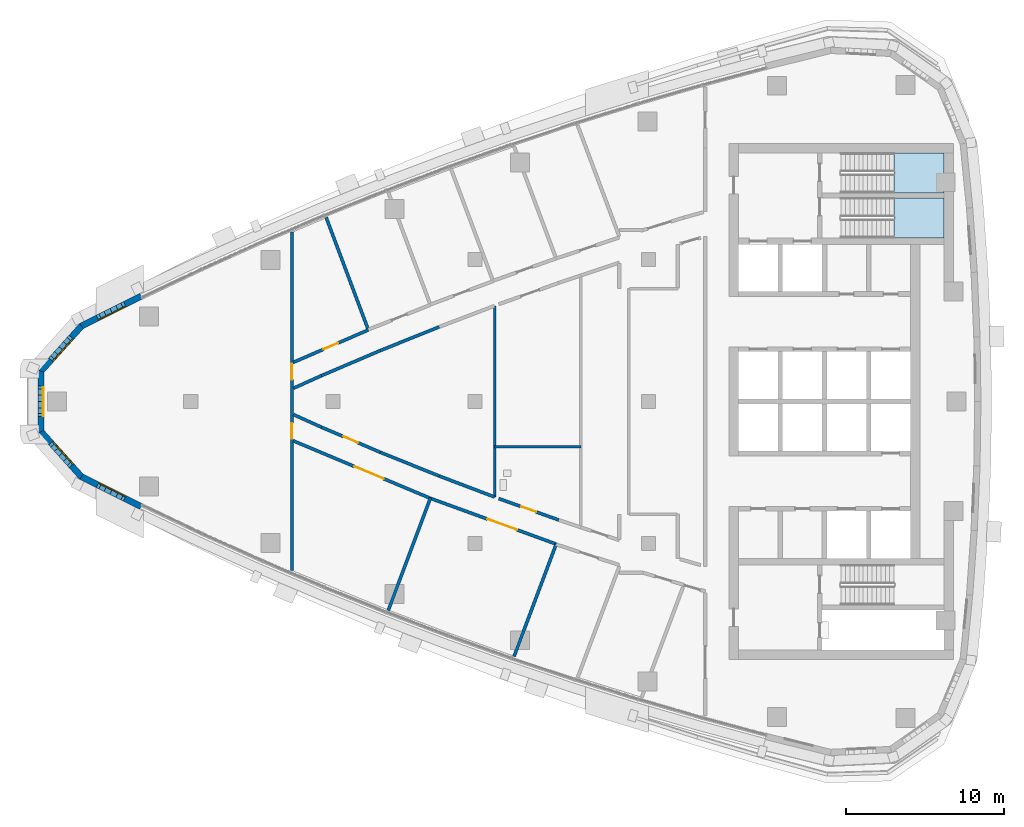
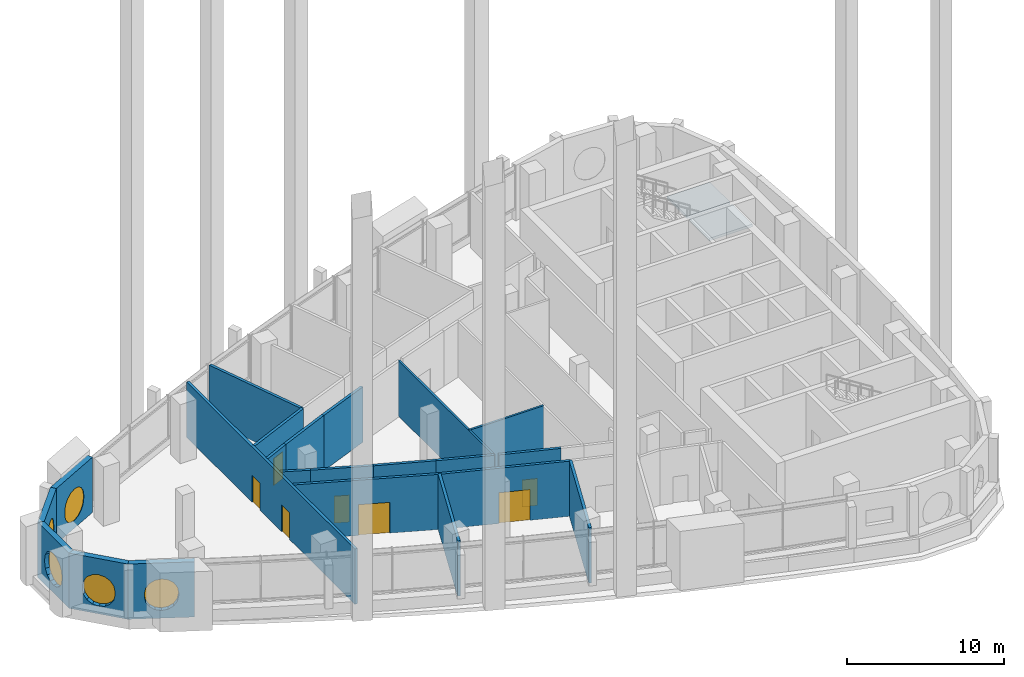
# One storey, part 6 of 15: 22 walls, 7 doors, 5 windows, 2 slabs, 12 openings, 2 elements without a shape of their own.
"""IFC4 building model written with IfcOpenShell, lengths in metres."""

from ifc_helpers import new_model, si_unit, direction, frame, frame_2d, origin, place, context, subcontext, project, spatial, polyline, rectangle, outline, extrude, material, layer, layer_set, type_object, element, fill, aggregate, save


model = new_model("IFC4")

# Units and contexts
model_context = context("Model", 3, precision=1e-05, world=origin(), true_north=direction((0.0, 1.0)))
body_context = subcontext(model_context, "Body", "Model", "MODEL_VIEW")
ifc_project = project(units=[si_unit("LENGTHUNIT", "METRE"), si_unit("AREAUNIT", "SQUARE_METRE"), si_unit("VOLUMEUNIT", "CUBIC_METRE"), si_unit("PLANEANGLEUNIT", "RADIAN"), si_unit("MASSUNIT", "GRAM", prefix="KILO")], contexts=[model_context])

# Site, building, storey
site_placement = place(None, origin())
site = spatial("IfcSite", under=ifc_project, at=site_placement, CompositionType="ELEMENT")
building_placement = place(site_placement, origin())
building = spatial("IfcBuilding", under=site, at=building_placement, Name="Ostrand Prow Hotel Tower", CompositionType="ELEMENT")
storey_placement = place(building_placement, frame((0.0, 0.0, 216.199951171875)))
storey = spatial("IfcBuildingStorey", under=building, at=storey_placement, Name="L54", CompositionType="ELEMENT", Elevation=216.199951171875)

# Stair, slab
ifc_material_1 = material(Name="Concrete C40/50", Category="concrete")
stair_type = type_object("IfcStairType", Name="Exit stair 1200 upper zone", PredefinedType="HALF_TURN_STAIR", material=ifc_material_1)
stair_1_placement = place(storey_placement, origin())
stair_1 = element("IfcStair", 1, at=stair_1_placement, inside=storey, type_object=stair_type, Name="L54 ST1C", PredefinedType="HALF_TURN_STAIR")
ifc_material_2 = material(Name="Concrete C40/50", Category="concrete")
ifc_layer_1 = layer(ifc_material_2, 0.199951171875)
ifc_layer_set_1 = layer_set([ifc_layer_1], Name="Concrete C40/50")
slab_type = type_object("IfcSlabType", Name="Stair landing 200 concrete", PredefinedType="LANDING", material=ifc_layer_set_1)
slab_1_placement = place(storey_placement, frame((0.0, 0.0, 2.10009765625)))
slab_1 = element("IfcSlab", 2, at=slab_1_placement, type_object=slab_type, Name="ST1C landing 1", PredefinedType="LANDING", context=body_context, shape_type="SweptSolid", body=[
    extrude(outline(polyline([(60.56005859375, 10.35009765625), (63.719970703125, 10.35009765625), (63.719970703125, 12.89990234375), (60.56005859375, 12.89990234375), (60.56005859375, 10.35009765625)])), origin(), (0.0, 0.0, 1.0), 0.199951171875),
])
aggregate(stair_1, [slab_1])

stair_2_placement = place(storey_placement, origin())
stair_2 = element("IfcStair", 3, at=stair_2_placement, inside=storey, type_object=stair_type, Name="L54 ST3C", PredefinedType="HALF_TURN_STAIR")
slab_2_placement = place(storey_placement, frame((0.0, 0.0, 2.10009765625)))
slab_2 = element("IfcSlab", 4, at=slab_2_placement, type_object=slab_type, Name="ST3C landing 1", PredefinedType="LANDING", context=body_context, shape_type="SweptSolid", body=[
    extrude(outline(polyline([(60.56005859375, 13.199951171875), (63.719970703125, 13.199951171875), (63.719970703125, 15.75), (60.56005859375, 15.75), (60.56005859375, 13.199951171875)])), origin(), (0.0, 0.0, 1.0), 0.199951171875),
])
aggregate(stair_2, [slab_2])

# Walls
ifc_material_3 = material(Name="Plasterboard partition")
ifc_layer_2 = layer(ifc_material_3, 0.14990234375)
ifc_layer_set_2 = layer_set([ifc_layer_2], Name="Plasterboard partition")
wall_type_1 = type_object("IfcWallType", Name="Partition 150 room partition", PredefinedType="PARTITIONING", material=ifc_layer_set_2)
wall_1_placement = place(storey_placement, frame((35.246826171875, -2.872314453125, 0.0), z_axis=(0.0, 0.0, 1.0), x_axis=(1.0, 0.0, 0.0)))
element("IfcWall", 5, at=wall_1_placement, inside=storey, type_object=wall_type_1, Name="ROOM PARTITION", PredefinedType="PARTITIONING", context=body_context, shape_type="SweptSolid", body=[
    extrude(rectangle(XDim=5.462646484375, YDim=0.14990234375, at=frame_2d((2.7314453125, 0.0))), origin(), (0.0, 0.0, 1.0), 4.300048828125),
])
wall_2_placement = place(storey_placement, frame((35.246826171875, -6.05615234375, 0.0), z_axis=(0.0, 0.0, 1.0), x_axis=(0.0, 1.0, 0.0)))
element("IfcWall", 6, at=wall_2_placement, inside=storey, type_object=wall_type_1, Name="ROOM PARTITION", PredefinedType="PARTITIONING", context=body_context, shape_type="SweptSolid", body=[
    extrude(rectangle(XDim=12.1123046875, YDim=0.14990234375, at=frame_2d((6.05615234375, 0.0))), origin(), (0.0, 0.0, 1.0), 4.300048828125),
])

# Wall, opening, door
ifc_material_4 = material(Name="Plasterboard partition")
ifc_layer_3 = layer(ifc_material_4, 0.199951171875)
ifc_layer_set_3 = layer_set([ifc_layer_3], Name="Plasterboard partition")
wall_type_2 = type_object("IfcWallType", Name="Partition 200 corridor wall", PredefinedType="PARTITIONING", material=ifc_layer_set_3)
wall_3_placement = place(storey_placement, frame((22.50048828125, 2.477783203125, 0.0), z_axis=(0.0, 0.0, 1.0), x_axis=(0.917924872832, 0.396754241106, 0.0)))
wall_3 = element("IfcWall", 7, at=wall_3_placement, inside=storey, type_object=wall_type_2, Name="CORRIDOR WALL", PredefinedType="PARTITIONING", context=body_context, shape_type="SweptSolid", body=[
    extrude(rectangle(XDim=5.172607421875, YDim=0.199951171875, at=frame_2d((2.58642578125, 0.0))), origin(), (0.0, 0.0, 1.0), 4.300048828125),
])
opening_1_placement = place(wall_3_placement, frame((2.086181640625, 0.0, 0.0)))
opening_1 = element("IfcOpeningElement", 8, at=opening_1_placement, cuts=wall_3, Name="Opening D1", PredefinedType="OPENING", context=body_context, shape_type="SweptSolid", body=[
    extrude(rectangle(XDim=1.0, YDim=2.10009765625, at=frame_2d((0.5, 1.050048828125))), frame((0.0, 0.10986328125, 0.0), z_axis=(0.0, -1.0, 0.0), x_axis=(1.0, 0.0, 0.0)), (0.0, 0.0, 1.0), 0.219970703125),
])
ifc_material_5 = material(Name="Timber door leaf", Category="wood")
door_type_1 = type_object("IfcDoorType", Name="Guest room door 1000", OperationType="SINGLE_SWING_LEFT", PredefinedType="DOOR", material=ifc_material_5)
door_1_placement = place(opening_1_placement, origin())
door_1 = element("IfcDoor", 9, at=door_1_placement, inside=storey, type_object=door_type_1, Name="DOOR", OperationType="SINGLE_SWING_LEFT", OverallHeight=2.10009765625, OverallWidth=1.0, PredefinedType="DOOR", context=body_context, shape_type="SweptSolid", body=[
    extrude(rectangle(XDim=1.0, YDim=2.10009765625, at=frame_2d((0.5, 1.050048828125))), frame((0.0, 0.02490234375, 0.0), z_axis=(0.0, -1.0, 0.0), x_axis=(1.0, 0.0, 0.0)), (0.0, 0.0, 1.0), 0.050048828125),
])
fill(opening_1, door_1)

wall_4_placement = place(storey_placement, frame((22.50048828125, -2.499755859375, 0.0), z_axis=(0.0, 0.0, 1.0), x_axis=(0.922225430975, -0.386652627643, 0.0)))
wall_4 = element("IfcWall", 10, at=wall_4_placement, inside=storey, type_object=wall_type_2, Name="CORRIDOR WALL", PredefinedType="PARTITIONING", context=body_context, shape_type="SweptSolid", body=[
    extrude(rectangle(XDim=9.406982421875, YDim=0.199951171875, at=frame_2d((4.70361328125, 0.0))), origin(), (0.0, 0.0, 1.0), 4.300048828125),
])
opening_2_placement = place(wall_4_placement, frame((4.203369140625, 0.0, 0.0)))
opening_2 = element("IfcOpeningElement", 11, at=opening_2_placement, cuts=wall_4, Name="Opening D20", PredefinedType="OPENING", context=body_context, shape_type="SweptSolid", body=[
    extrude(rectangle(XDim=2.0, YDim=2.39990234375, at=frame_2d((1.0, 1.199951171875))), frame((0.0, 0.10986328125, 0.0), z_axis=(0.0, -1.0, 0.0), x_axis=(1.0, 0.0, 0.0)), (0.0, 0.0, 1.0), 0.219970703125),
])
ifc_material_6 = material(Name="Timber door leaf", Category="wood")
door_type_2 = type_object("IfcDoorType", Name="Double door 2000", OperationType="DOUBLE_DOOR_SINGLE_SWING", PredefinedType="DOOR", material=ifc_material_6)
door_2_placement = place(opening_2_placement, origin())
door_2 = element("IfcDoor", 12, at=door_2_placement, inside=storey, type_object=door_type_2, Name="DOOR", OperationType="DOUBLE_DOOR_SINGLE_SWING", OverallHeight=2.39990234375, OverallWidth=2.0, PredefinedType="DOOR", context=body_context, shape_type="SweptSolid", body=[
    extrude(rectangle(XDim=2.0, YDim=2.39990234375, at=frame_2d((1.0, 1.199951171875))), frame((0.0, 0.02490234375, 0.0), z_axis=(0.0, -1.0, 0.0), x_axis=(1.0, 0.0, 0.0)), (0.0, 0.0, 1.0), 0.050048828125),
])
fill(opening_2, door_2)

wall_5_placement = place(storey_placement, frame((31.17578125, -6.136962890625, 0.0), z_axis=(0.0, 0.0, 1.0), x_axis=(0.939697645913, -0.342006336585, 0.0)))
wall_5 = element("IfcWall", 13, at=wall_5_placement, inside=storey, type_object=wall_type_2, Name="CORRIDOR WALL", PredefinedType="PARTITIONING", context=body_context, shape_type="SweptSolid", body=[
    extrude(rectangle(XDim=8.487548828125, YDim=0.199951171875, at=frame_2d((4.24365234375, 0.0))), origin(), (0.0, 0.0, 1.0), 4.300048828125),
])
opening_3_placement = place(wall_5_placement, frame((3.85009765625, 0.0, 0.0)))
opening_3 = element("IfcOpeningElement", 14, at=opening_3_placement, cuts=wall_5, Name="Opening D20", PredefinedType="OPENING", context=body_context, shape_type="SweptSolid", body=[
    extrude(rectangle(XDim=2.0, YDim=2.39990234375, at=frame_2d((1.0, 1.199951171875))), frame((0.0, 0.10986328125, 0.0), z_axis=(0.0, -1.0, 0.0), x_axis=(1.0, 0.0, 0.0)), (0.0, 0.0, 1.0), 0.219970703125),
])
door_3_placement = place(opening_3_placement, origin())
door_3 = element("IfcDoor", 15, at=door_3_placement, inside=storey, type_object=door_type_2, Name="DOOR", OperationType="DOUBLE_DOOR_SINGLE_SWING", OverallHeight=2.39990234375, OverallWidth=2.0, PredefinedType="DOOR", context=body_context, shape_type="SweptSolid", body=[
    extrude(rectangle(XDim=2.0, YDim=2.39990234375, at=frame_2d((1.0, 1.199951171875))), frame((0.0, 0.02490234375, 0.0), z_axis=(0.0, -1.0, 0.0), x_axis=(1.0, 0.0, 0.0)), (0.0, 0.0, 1.0), 0.050048828125),
])
fill(opening_3, door_3)

wall_6_placement = place(storey_placement, frame((27.99169921875, -3.21630859375, 0.0), z_axis=(0.0, 0.0, 1.0), x_axis=(-0.919906458601, 0.392137867878, 0.0)))
wall_6 = element("IfcWall", 16, at=wall_6_placement, inside=storey, type_object=wall_type_2, Name="CORRIDOR WALL", PredefinedType="PARTITIONING", context=body_context, shape_type="SweptSolid", body=[
    extrude(rectangle(XDim=4.03759765625, YDim=0.199951171875, at=frame_2d((2.018798828125, 0.0))), origin(), (0.0, 0.0, 1.0), 4.300048828125),
])
opening_4_placement = place(wall_6_placement, frame((1.5185546875, 0.0, 0.0)))
opening_4 = element("IfcOpeningElement", 17, at=opening_4_placement, cuts=wall_6, Name="Opening D1R", PredefinedType="OPENING", context=body_context, shape_type="SweptSolid", body=[
    extrude(rectangle(XDim=1.0, YDim=2.10009765625, at=frame_2d((0.5, 1.050048828125))), frame((0.0, 0.10986328125, 0.0), z_axis=(0.0, -1.0, 0.0), x_axis=(1.0, 0.0, 0.0)), (0.0, 0.0, 1.0), 0.219970703125),
])
ifc_material_7 = material(Name="Timber door leaf", Category="wood")
door_type_3 = type_object("IfcDoorType", Name="Guest room door 1000 right", OperationType="SINGLE_SWING_RIGHT", PredefinedType="DOOR", material=ifc_material_7)
door_4_placement = place(opening_4_placement, origin())
door_4 = element("IfcDoor", 18, at=door_4_placement, inside=storey, type_object=door_type_3, Name="DOOR", OperationType="SINGLE_SWING_RIGHT", OverallHeight=2.10009765625, OverallWidth=1.0, PredefinedType="DOOR", context=body_context, shape_type="SweptSolid", body=[
    extrude(rectangle(XDim=1.0, YDim=2.10009765625, at=frame_2d((0.5, 1.050048828125))), frame((0.0, 0.02490234375, 0.0), z_axis=(0.0, -1.0, 0.0), x_axis=(1.0, 0.0, 0.0)), (0.0, 0.0, 1.0), 0.050048828125),
])
fill(opening_4, door_4)

# Walls
wall_7_placement = place(storey_placement, frame((31.736572265625, -4.72412109375, 0.0), z_axis=(0.0, 0.0, 1.0), x_axis=(-0.927631817384, 0.37349593221, 0.0)))
element("IfcWall", 19, at=wall_7_placement, inside=storey, type_object=wall_type_2, Name="CORRIDOR WALL", PredefinedType="PARTITIONING", context=body_context, shape_type="SweptSolid", body=[
    extrude(rectangle(XDim=4.037109375, YDim=0.199951171875, at=frame_2d((2.0185546875, 0.0))), origin(), (0.0, 0.0, 1.0), 4.300048828125),
])
for number, where, z_axis, x_axis, name in (
    (20, (24.277587890625, -1.633056640625, 0.0), (0.0, 0.0, 1.0), (-0.911806621171, 0.410619879681, 0.0), "CORRIDOR WALL"),
    (21, (22.50048828125, 0.832763671875, 0.0), (0.0, 0.0, 1.0), (0.911806621171, 0.410619879681, 0.0), "CORRIDOR WALL"),
):
    element("IfcWall", number, at=place(storey_placement, frame(where, z_axis=z_axis, x_axis=x_axis)), inside=storey, type_object=wall_type_2, Name=name, PredefinedType="PARTITIONING", context=body_context, shape_type="SweptSolid", body=[
        extrude(rectangle(XDim=1.948974609375, YDim=0.199951171875, at=frame_2d((0.974609375, 0.0))), origin(), (0.0, 0.0, 1.0), 4.300048828125),
    ])
wall_8_placement = place(storey_placement, frame((24.277587890625, 1.633056640625, 0.0), z_axis=(0.0, 0.0, 1.0), x_axis=(0.919906458601, 0.392137867878, 0.0)))
element("IfcWall", 22, at=wall_8_placement, inside=storey, type_object=wall_type_2, Name="CORRIDOR WALL", PredefinedType="PARTITIONING", context=body_context, shape_type="SweptSolid", body=[
    extrude(rectangle(XDim=4.03759765625, YDim=0.199951171875, at=frame_2d((2.018798828125, 0.0))), origin(), (0.0, 0.0, 1.0), 4.300048828125),
])
wall_9_placement = place(storey_placement, frame((27.99169921875, 3.21630859375, 0.0), z_axis=(0.0, 0.0, 1.0), x_axis=(0.927631817384, 0.37349593221, 0.0)))
element("IfcWall", 23, at=wall_9_placement, inside=storey, type_object=wall_type_2, Name="CORRIDOR WALL", PredefinedType="PARTITIONING", context=body_context, shape_type="SweptSolid", body=[
    extrude(rectangle(XDim=4.037109375, YDim=0.199951171875, at=frame_2d((2.0185546875, 0.0))), origin(), (0.0, 0.0, 1.0), 4.300048828125),
])
wall_10_placement = place(storey_placement, frame((35.246826171875, -6.05615234375, 0.0), z_axis=(0.0, 0.0, 1.0), x_axis=(-0.934948443449, 0.354783607418, 0.0)))
element("IfcWall", 24, at=wall_10_placement, inside=storey, type_object=wall_type_2, Name="CORRIDOR WALL", PredefinedType="PARTITIONING", context=body_context, shape_type="SweptSolid", body=[
    extrude(rectangle(XDim=3.75439453125, YDim=0.199951171875, at=frame_2d((1.877197265625, 0.0))), origin(), (0.0, 0.0, 1.0), 4.300048828125),
])

# Wall, opening, door
wall_11_placement = place(storey_placement, frame((39.313720703125, -7.512451171875, 0.0), z_axis=(0.0, 0.0, 1.0), x_axis=(-0.941904619678, 0.335880465983, 0.0)))
wall_11 = element("IfcWall", 25, at=wall_11_placement, inside=storey, type_object=wall_type_2, Name="CORRIDOR WALL", PredefinedType="PARTITIONING", context=body_context, shape_type="SweptSolid", body=[
    extrude(rectangle(XDim=4.037109375, YDim=0.199951171875, at=frame_2d((2.0185546875, 0.0))), origin(), (0.0, 0.0, 1.0), 4.300048828125),
])
opening_5_placement = place(wall_11_placement, frame((1.5185546875, 0.0, 0.0)))
opening_5 = element("IfcOpeningElement", 26, at=opening_5_placement, cuts=wall_11, Name="Opening D1", PredefinedType="OPENING", context=body_context, shape_type="SweptSolid", body=[
    extrude(rectangle(XDim=1.0, YDim=2.10009765625, at=frame_2d((0.5, 1.050048828125))), frame((0.0, 0.10986328125, 0.0), z_axis=(0.0, -1.0, 0.0), x_axis=(1.0, 0.0, 0.0)), (0.0, 0.0, 1.0), 0.219970703125),
])
door_5_placement = place(opening_5_placement, origin())
door_5 = element("IfcDoor", 27, at=door_5_placement, inside=storey, type_object=door_type_1, Name="DOOR", OperationType="SINGLE_SWING_LEFT", OverallHeight=2.10009765625, OverallWidth=1.0, PredefinedType="DOOR", context=body_context, shape_type="SweptSolid", body=[
    extrude(rectangle(XDim=1.0, YDim=2.10009765625, at=frame_2d((0.5, 1.050048828125))), frame((0.0, 0.02490234375, 0.0), z_axis=(0.0, -1.0, 0.0), x_axis=(1.0, 0.0, 0.0)), (0.0, 0.0, 1.0), 0.050048828125),
])
fill(opening_5, door_5)

# Walls
ifc_material_8 = material(Name="Plasterboard partition")
ifc_layer_4 = layer(ifc_material_8, 0.199951171875)
ifc_layer_set_4 = layer_set([ifc_layer_4], Name="Plasterboard partition")
wall_type_3 = type_object("IfcWallType", Name="Partition 200 key partition", PredefinedType="PARTITIONING", material=ifc_layer_set_4)
wall_12_placement = place(storey_placement, frame((27.24853515625, 4.530029296875, 0.0), z_axis=(0.0, 0.0, 1.0), x_axis=(-0.351130476966, 0.936326539272, 0.0)))
element("IfcWall", 28, at=wall_12_placement, inside=storey, type_object=wall_type_3, Name="KEY PARTITION", PredefinedType="PARTITIONING", context=body_context, shape_type="SweptSolid", body=[
    extrude(rectangle(XDim=7.60595703125, YDim=0.199951171875, at=frame_2d((3.802978515625, 0.0))), origin(), (0.0, 0.0, 1.0), 4.300048828125),
])
wall_13_placement = place(storey_placement, frame((28.51416015625, -13.234619140625, 0.0), z_axis=(0.0, 0.0, 1.0), x_axis=(0.351137522904, 0.936323896955, 0.0)))
element("IfcWall", 29, at=wall_13_placement, inside=storey, type_object=wall_type_3, Name="KEY PARTITION", PredefinedType="PARTITIONING", context=body_context, shape_type="SweptSolid", body=[
    extrude(rectangle(XDim=7.60009765625, YDim=0.199951171875, at=frame_2d((3.800048828125, 0.0))), origin(), (0.0, 0.0, 1.0), 4.300048828125),
])
wall_14_placement = place(storey_placement, frame((36.481201171875, -16.16064453125, 0.0), z_axis=(0.0, 0.0, 1.0), x_axis=(0.351133995718, 0.936325219703, 0.0)))
element("IfcWall", 30, at=wall_14_placement, inside=storey, type_object=wall_type_3, Name="KEY PARTITION", PredefinedType="PARTITIONING", context=body_context, shape_type="SweptSolid", body=[
    extrude(rectangle(XDim=7.605224609375, YDim=0.199951171875, at=frame_2d((3.802734375, 0.0))), origin(), (0.0, 0.0, 1.0), 4.300048828125),
])

# Wall, openings, doors
ifc_material_9 = material(Name="Plasterboard partition")
ifc_layer_5 = layer(ifc_material_9, 0.199951171875)
ifc_layer_set_5 = layer_set([ifc_layer_5], Name="Plasterboard partition")
wall_type_4 = type_object("IfcWallType", Name="Partition 200 lounge wall", PredefinedType="PARTITIONING", material=ifc_layer_set_5)
wall_15_placement = place(storey_placement, frame((22.400634765625, -10.72509765625, 0.0), z_axis=(0.0, 0.0, 1.0), x_axis=(0.0, 1.0, 0.0)))
wall_15 = element("IfcWall", 31, at=wall_15_placement, inside=storey, type_object=wall_type_4, Name="LOUNGE WALL", PredefinedType="PARTITIONING", context=body_context, shape_type="SweptSolid", body=[
    extrude(rectangle(XDim=21.4501953125, YDim=0.199951171875, at=frame_2d((10.72509765625, 0.0))), origin(), (0.0, 0.0, 1.0), 4.300048828125),
])
opening_6_placement = place(wall_15_placement, frame((12.10595703125, 0.0, 0.0)))
opening_6 = element("IfcOpeningElement", 32, at=opening_6_placement, cuts=wall_15, Name="Opening D1", PredefinedType="OPENING", context=body_context, shape_type="SweptSolid", body=[
    extrude(rectangle(XDim=1.0, YDim=2.10009765625, at=frame_2d((0.5, 1.050048828125))), frame((0.0, 0.10986328125, 0.0), z_axis=(0.0, -1.0, 0.0), x_axis=(1.0, 0.0, 0.0)), (0.0, 0.0, 1.0), 0.219970703125),
])
opening_7_placement = place(wall_15_placement, frame((8.344970703125, 0.0, 0.0)))
opening_7 = element("IfcOpeningElement", 33, at=opening_7_placement, cuts=wall_15, Name="Opening D1R", PredefinedType="OPENING", context=body_context, shape_type="SweptSolid", body=[
    extrude(rectangle(XDim=1.0, YDim=2.10009765625, at=frame_2d((0.5, 1.050048828125))), frame((0.0, 0.10986328125, 0.0), z_axis=(0.0, -1.0, 0.0), x_axis=(1.0, 0.0, 0.0)), (0.0, 0.0, 1.0), 0.219970703125),
])
door_6_placement = place(opening_6_placement, origin())
door_6 = element("IfcDoor", 34, at=door_6_placement, inside=storey, type_object=door_type_1, Name="DOOR", OperationType="SINGLE_SWING_LEFT", OverallHeight=2.10009765625, OverallWidth=1.0, PredefinedType="DOOR", context=body_context, shape_type="SweptSolid", body=[
    extrude(rectangle(XDim=1.0, YDim=2.10009765625, at=frame_2d((0.5, 1.050048828125))), frame((0.0, 0.02490234375, 0.0), z_axis=(0.0, -1.0, 0.0), x_axis=(1.0, 0.0, 0.0)), (0.0, 0.0, 1.0), 0.050048828125),
])
fill(opening_6, door_6)
door_7_placement = place(opening_7_placement, origin())
door_7 = element("IfcDoor", 35, at=door_7_placement, inside=storey, type_object=door_type_3, Name="DOOR", OperationType="SINGLE_SWING_RIGHT", OverallHeight=2.10009765625, OverallWidth=1.0, PredefinedType="DOOR", context=body_context, shape_type="SweptSolid", body=[
    extrude(rectangle(XDim=1.0, YDim=2.10009765625, at=frame_2d((0.5, 1.050048828125))), frame((0.0, 0.02490234375, 0.0), z_axis=(0.0, -1.0, 0.0), x_axis=(1.0, 0.0, 0.0)), (0.0, 0.0, 1.0), 0.050048828125),
])
fill(opening_7, door_7)

# Wall, opening, window
ifc_material_10 = material(Name="Precast concrete C40/50", Category="concrete")
ifc_layer_6 = layer(ifc_material_10, 0.39990234375)
ifc_layer_set_6 = layer_set([ifc_layer_6], Name="Precast concrete C40/50")
wall_type_5 = type_object("IfcWallType", Name="Stone-faced precast wall 400 mm", PredefinedType="NOTDEFINED", material=ifc_layer_set_6)
wall_16_placement = place(storey_placement, frame((12.849365234375, 6.66064453125, 0.0), z_axis=(0.0, 0.0, 1.0), x_axis=(-0.894554263274, -0.446959360634, 0.0)))
wall_16 = element("IfcWall", 36, at=wall_16_placement, inside=storey, type_object=wall_type_5, Name="Stone-faced wall prow 1", PredefinedType="NOTDEFINED", context=body_context, shape_type="SweptSolid", body=[
    extrude(outline(polyline([(0.0, -0.199951171875), (4.263671875, -0.199951171875), (4.1875, 0.199951171875), (0.0, 0.199951171875), (0.0, -0.199951171875)])), origin(), (0.0, 0.0, 1.0), 4.300048828125),
])
opening_8_placement = place(wall_16_placement, frame((1.012939453125, 0.0, 0.60009765625)))
opening_8 = element("IfcOpeningElement", 37, at=opening_8_placement, cuts=wall_16, Name="Opening WP2", PredefinedType="OPENING", context=body_context, shape_type="SweptSolid", body=[
    extrude(outline(polyline([(0.0, 1.35009765625), (0.083740234375, 1.77099609375), (0.322265625, 2.127685546875), (0.678955078125, 2.3662109375), (1.10009765625, 2.449951171875), (1.52099609375, 2.3662109375), (1.877685546875, 2.127685546875), (2.1162109375, 1.77099609375), (2.199951171875, 1.35009765625), (2.199951171875, 1.10009765625), (2.1162109375, 0.678955078125), (1.877685546875, 0.322265625), (1.52099609375, 0.083740234375), (1.10009765625, 0.0), (0.678955078125, 0.083740234375), (0.322265625, 0.322265625), (0.083740234375, 0.678955078125), (0.0, 1.099853515625), (0.0, 1.35009765625)])), frame((0.0, 0.2099609375, 0.0), z_axis=(0.0, -1.0, 0.0), x_axis=(1.0, 0.0, 0.0)), (0.0, 0.0, 1.0), 0.419921875),
])
ifc_material_11 = material(Name="Insulated glass in bronze frame", Category="glass")
window_type = type_object("IfcWindowType", Name="Round-ended prow lounge window 2200x2450", PartitioningType="SINGLE_PANEL", PredefinedType="WINDOW", material=ifc_material_11)
window_1_placement = place(opening_8_placement, origin())
window_1 = element("IfcWindow", 38, at=window_1_placement, inside=storey, type_object=window_type, Name="Window prow 1.1", OverallHeight=2.449951171875, OverallWidth=2.199951171875, PartitioningType="SINGLE_PANEL", PredefinedType="WINDOW", context=body_context, shape_type="SweptSolid", body=[
    extrude(outline(polyline([(0.0, 1.35009765625), (0.083740234375, 1.77099609375), (0.322265625, 2.127685546875), (0.678955078125, 2.3662109375), (1.10009765625, 2.449951171875), (1.52099609375, 2.3662109375), (1.877685546875, 2.127685546875), (2.1162109375, 1.77099609375), (2.199951171875, 1.35009765625), (2.199951171875, 1.10009765625), (2.1162109375, 0.678955078125), (1.877685546875, 0.322265625), (1.52099609375, 0.083740234375), (1.10009765625, 0.0), (0.678955078125, 0.083740234375), (0.322265625, 0.322265625), (0.083740234375, 0.678955078125), (0.0, 1.099853515625), (0.0, 1.35009765625)])), frame((0.0, 0.169921875, 0.0), z_axis=(0.0, -1.0, 0.0), x_axis=(1.0, 0.0, 0.0)), (0.0, 0.0, 1.0), 0.06005859375),
])
fill(opening_8, window_1)

wall_17_placement = place(storey_placement, frame((9.0693359375, 4.77197265625, 0.0), z_axis=(0.0, 0.0, 1.0), x_axis=(-0.668018215058, -0.744144921605, 0.0)))
wall_17 = element("IfcWall", 39, at=wall_17_placement, inside=storey, type_object=wall_type_5, Name="Stone-faced wall prow 2", PredefinedType="NOTDEFINED", context=body_context, shape_type="SweptSolid", body=[
    extrude(outline(polyline([(-0.0380859375, -0.199951171875), (3.912353515625, -0.199951171875), (3.759033203125, 0.199951171875), (0.0380859375, 0.199951171875), (-0.0380859375, -0.199951171875)])), origin(), (0.0, 0.0, 1.0), 4.300048828125),
])
opening_9_placement = place(wall_17_placement, frame((0.81787109375, 0.0, 0.60009765625)))
opening_9 = element("IfcOpeningElement", 40, at=opening_9_placement, cuts=wall_17, Name="Opening WP2", PredefinedType="OPENING", context=body_context, shape_type="SweptSolid", body=[
    extrude(outline(polyline([(0.0, 1.35009765625), (0.083740234375, 1.77099609375), (0.322265625, 2.127685546875), (0.678955078125, 2.3662109375), (1.10009765625, 2.449951171875), (1.52099609375, 2.3662109375), (1.877685546875, 2.127685546875), (2.1162109375, 1.77099609375), (2.199951171875, 1.35009765625), (2.199951171875, 1.10009765625), (2.1162109375, 0.678955078125), (1.877685546875, 0.322265625), (1.52099609375, 0.083740234375), (1.10009765625, 0.0), (0.678955078125, 0.083740234375), (0.322265625, 0.322265625), (0.083740234375, 0.678955078125), (0.0, 1.099853515625), (0.0, 1.35009765625)])), frame((0.0, 0.2099609375, 0.0), z_axis=(0.0, -1.0, 0.0), x_axis=(1.0, 0.0, 0.0)), (0.0, 0.0, 1.0), 0.419921875),
])
window_2_placement = place(opening_9_placement, origin())
window_2 = element("IfcWindow", 41, at=window_2_placement, inside=storey, type_object=window_type, Name="Window prow 2.1", OverallHeight=2.449951171875, OverallWidth=2.199951171875, PartitioningType="SINGLE_PANEL", PredefinedType="WINDOW", context=body_context, shape_type="SweptSolid", body=[
    extrude(outline(polyline([(0.0, 1.35009765625), (0.083740234375, 1.77099609375), (0.322265625, 2.127685546875), (0.678955078125, 2.3662109375), (1.10009765625, 2.449951171875), (1.52099609375, 2.3662109375), (1.877685546875, 2.127685546875), (2.1162109375, 1.77099609375), (2.199951171875, 1.35009765625), (2.199951171875, 1.10009765625), (2.1162109375, 0.678955078125), (1.877685546875, 0.322265625), (1.52099609375, 0.083740234375), (1.10009765625, 0.0), (0.678955078125, 0.083740234375), (0.322265625, 0.322265625), (0.083740234375, 0.678955078125), (0.0, 1.099853515625), (0.0, 1.35009765625)])), frame((0.0, 0.169921875, 0.0), z_axis=(0.0, -1.0, 0.0), x_axis=(1.0, 0.0, 0.0)), (0.0, 0.0, 1.0), 0.06005859375),
])
fill(opening_9, window_2)

wall_18_placement = place(storey_placement, frame((6.507080078125, 1.917724609375, 0.0), z_axis=(0.0, 0.0, 1.0), x_axis=(0.0, -1.0, 0.0)))
wall_18 = element("IfcWall", 42, at=wall_18_placement, inside=storey, type_object=wall_type_5, Name="Stone-faced wall prow 3", PredefinedType="NOTDEFINED", context=body_context, shape_type="SweptSolid", body=[
    extrude(outline(polyline([(-0.07666015625, -0.199951171875), (3.912109375, -0.199951171875), (3.7587890625, 0.199951171875), (0.07666015625, 0.199951171875), (-0.07666015625, -0.199951171875)])), origin(), (0.0, 0.0, 1.0), 4.300048828125),
])
opening_10_placement = place(wall_18_placement, frame((0.81787109375, 0.0, 0.60009765625)))
opening_10 = element("IfcOpeningElement", 43, at=opening_10_placement, cuts=wall_18, Name="Opening WP2", PredefinedType="OPENING", context=body_context, shape_type="SweptSolid", body=[
    extrude(outline(polyline([(0.0, 1.35009765625), (0.083740234375, 1.77099609375), (0.322265625, 2.127685546875), (0.678955078125, 2.3662109375), (1.10009765625, 2.449951171875), (1.52099609375, 2.3662109375), (1.877685546875, 2.127685546875), (2.1162109375, 1.77099609375), (2.199951171875, 1.35009765625), (2.199951171875, 1.10009765625), (2.1162109375, 0.678955078125), (1.877685546875, 0.322265625), (1.52099609375, 0.083740234375), (1.10009765625, 0.0), (0.678955078125, 0.083740234375), (0.322265625, 0.322265625), (0.083740234375, 0.678955078125), (0.0, 1.099853515625), (0.0, 1.35009765625)])), frame((0.0, 0.2099609375, 0.0), z_axis=(0.0, -1.0, 0.0), x_axis=(1.0, 0.0, 0.0)), (0.0, 0.0, 1.0), 0.419921875),
])
window_3_placement = place(opening_10_placement, origin())
window_3 = element("IfcWindow", 44, at=window_3_placement, inside=storey, type_object=window_type, Name="Window prow 3.1", OverallHeight=2.449951171875, OverallWidth=2.199951171875, PartitioningType="SINGLE_PANEL", PredefinedType="WINDOW", context=body_context, shape_type="SweptSolid", body=[
    extrude(outline(polyline([(0.0, 1.35009765625), (0.083740234375, 1.77099609375), (0.322265625, 2.127685546875), (0.678955078125, 2.3662109375), (1.10009765625, 2.449951171875), (1.52099609375, 2.3662109375), (1.877685546875, 2.127685546875), (2.1162109375, 1.77099609375), (2.199951171875, 1.35009765625), (2.199951171875, 1.10009765625), (2.1162109375, 0.678955078125), (1.877685546875, 0.322265625), (1.52099609375, 0.083740234375), (1.10009765625, 0.0), (0.678955078125, 0.083740234375), (0.322265625, 0.322265625), (0.083740234375, 0.678955078125), (0.0, 1.099853515625), (0.0, 1.35009765625)])), frame((0.0, 0.169921875, 0.0), z_axis=(0.0, -1.0, 0.0), x_axis=(1.0, 0.0, 0.0)), (0.0, 0.0, 1.0), 0.06005859375),
])
fill(opening_10, window_3)

wall_19_placement = place(storey_placement, frame((6.507080078125, -1.917724609375, 0.0), z_axis=(0.0, 0.0, 1.0), x_axis=(0.668018215058, -0.744144921605, 0.0)))
wall_19 = element("IfcWall", 45, at=wall_19_placement, inside=storey, type_object=wall_type_5, Name="Stone-faced wall prow 4", PredefinedType="NOTDEFINED", context=body_context, shape_type="SweptSolid", body=[
    extrude(outline(polyline([(-0.07666015625, -0.199951171875), (3.873779296875, -0.199951171875), (3.797607421875, 0.199951171875), (0.07666015625, 0.199951171875), (-0.07666015625, -0.199951171875)])), origin(), (0.0, 0.0, 1.0), 4.300048828125),
])
opening_11_placement = place(wall_19_placement, frame((0.81787109375, 0.0, 0.60009765625)))
opening_11 = element("IfcOpeningElement", 46, at=opening_11_placement, cuts=wall_19, Name="Opening WP2", PredefinedType="OPENING", context=body_context, shape_type="SweptSolid", body=[
    extrude(outline(polyline([(0.0, 1.35009765625), (0.083740234375, 1.77099609375), (0.322265625, 2.127685546875), (0.678955078125, 2.3662109375), (1.10009765625, 2.449951171875), (1.52099609375, 2.3662109375), (1.877685546875, 2.127685546875), (2.1162109375, 1.77099609375), (2.199951171875, 1.35009765625), (2.199951171875, 1.10009765625), (2.1162109375, 0.678955078125), (1.877685546875, 0.322265625), (1.52099609375, 0.083740234375), (1.10009765625, 0.0), (0.678955078125, 0.083740234375), (0.322265625, 0.322265625), (0.083740234375, 0.678955078125), (0.0, 1.099853515625), (0.0, 1.35009765625)])), frame((0.0, 0.2099609375, 0.0), z_axis=(0.0, -1.0, 0.0), x_axis=(1.0, 0.0, 0.0)), (0.0, 0.0, 1.0), 0.419921875),
])
window_4_placement = place(opening_11_placement, origin())
window_4 = element("IfcWindow", 47, at=window_4_placement, inside=storey, type_object=window_type, Name="Window prow 4.1", OverallHeight=2.449951171875, OverallWidth=2.199951171875, PartitioningType="SINGLE_PANEL", PredefinedType="WINDOW", context=body_context, shape_type="SweptSolid", body=[
    extrude(outline(polyline([(0.0, 1.35009765625), (0.083740234375, 1.77099609375), (0.322265625, 2.127685546875), (0.678955078125, 2.3662109375), (1.10009765625, 2.449951171875), (1.52099609375, 2.3662109375), (1.877685546875, 2.127685546875), (2.1162109375, 1.77099609375), (2.199951171875, 1.35009765625), (2.199951171875, 1.10009765625), (2.1162109375, 0.678955078125), (1.877685546875, 0.322265625), (1.52099609375, 0.083740234375), (1.10009765625, 0.0), (0.678955078125, 0.083740234375), (0.322265625, 0.322265625), (0.083740234375, 0.678955078125), (0.0, 1.099853515625), (0.0, 1.35009765625)])), frame((0.0, 0.169921875, 0.0), z_axis=(0.0, -1.0, 0.0), x_axis=(1.0, 0.0, 0.0)), (0.0, 0.0, 1.0), 0.06005859375),
])
fill(opening_11, window_4)

wall_20_placement = place(storey_placement, frame((9.0693359375, -4.77197265625, 0.0), z_axis=(0.0, 0.0, 1.0), x_axis=(0.894554263274, -0.446959360634, 0.0)))
wall_20 = element("IfcWall", 48, at=wall_20_placement, inside=storey, type_object=wall_type_5, Name="Stone-faced wall prow 5", PredefinedType="NOTDEFINED", context=body_context, shape_type="SweptSolid", body=[
    extrude(outline(polyline([(-0.0380859375, -0.199951171875), (4.2255859375, -0.199951171875), (4.2255859375, 0.199951171875), (0.0380859375, 0.199951171875), (-0.0380859375, -0.199951171875)])), origin(), (0.0, 0.0, 1.0), 4.300048828125),
])
opening_12_placement = place(wall_20_placement, frame((1.012939453125, 0.0, 0.60009765625)))
opening_12 = element("IfcOpeningElement", 49, at=opening_12_placement, cuts=wall_20, Name="Opening WP2", PredefinedType="OPENING", context=body_context, shape_type="SweptSolid", body=[
    extrude(outline(polyline([(0.0, 1.35009765625), (0.083740234375, 1.77099609375), (0.322265625, 2.127685546875), (0.678955078125, 2.3662109375), (1.10009765625, 2.449951171875), (1.52099609375, 2.3662109375), (1.877685546875, 2.127685546875), (2.1162109375, 1.77099609375), (2.199951171875, 1.35009765625), (2.199951171875, 1.10009765625), (2.1162109375, 0.678955078125), (1.877685546875, 0.322265625), (1.52099609375, 0.083740234375), (1.10009765625, 0.0), (0.678955078125, 0.083740234375), (0.322265625, 0.322265625), (0.083740234375, 0.678955078125), (0.0, 1.099853515625), (0.0, 1.35009765625)])), frame((0.0, 0.2099609375, 0.0), z_axis=(0.0, -1.0, 0.0), x_axis=(1.0, 0.0, 0.0)), (0.0, 0.0, 1.0), 0.419921875),
])
window_5_placement = place(opening_12_placement, origin())
window_5 = element("IfcWindow", 50, at=window_5_placement, inside=storey, type_object=window_type, Name="Window prow 5.1", OverallHeight=2.449951171875, OverallWidth=2.199951171875, PartitioningType="SINGLE_PANEL", PredefinedType="WINDOW", context=body_context, shape_type="SweptSolid", body=[
    extrude(outline(polyline([(0.0, 1.35009765625), (0.083740234375, 1.77099609375), (0.322265625, 2.127685546875), (0.678955078125, 2.3662109375), (1.10009765625, 2.449951171875), (1.52099609375, 2.3662109375), (1.877685546875, 2.127685546875), (2.1162109375, 1.77099609375), (2.199951171875, 1.35009765625), (2.199951171875, 1.10009765625), (2.1162109375, 0.678955078125), (1.877685546875, 0.322265625), (1.52099609375, 0.083740234375), (1.10009765625, 0.0), (0.678955078125, 0.083740234375), (0.322265625, 0.322265625), (0.083740234375, 0.678955078125), (0.0, 1.099853515625), (0.0, 1.35009765625)])), frame((0.0, 0.169921875, 0.0), z_axis=(0.0, -1.0, 0.0), x_axis=(1.0, 0.0, 0.0)), (0.0, 0.0, 1.0), 0.06005859375),
])
fill(opening_12, window_5)

save(model, "model.ifc")
